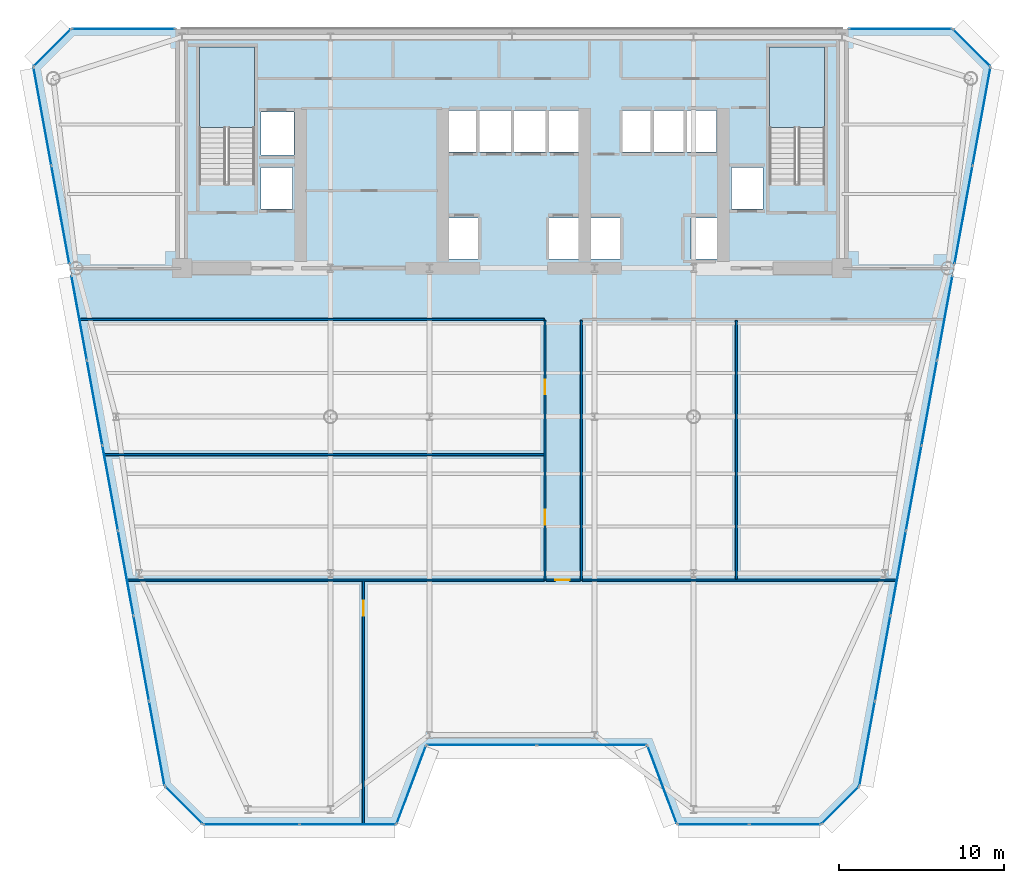
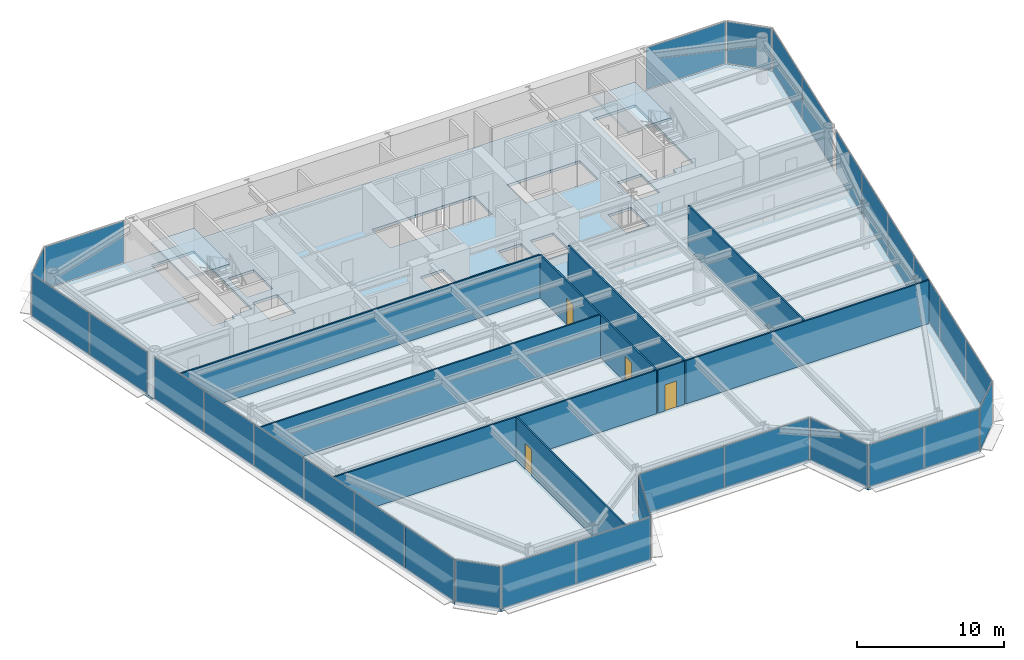
# One storey, part 10 of 17: 30 plates, 9 walls, 4 doors, 3 slabs, 4 openings, 17 elements without a shape of their own.
"""IFC4 building model written with IfcOpenShell, lengths in metres."""

import ifcopenshell
import ifcopenshell.guid

model = None  # the IFC model being written
_history = None  # IfcOwnerHistory: only IFC2X3 demands one
_inside = {}  # id of a spatial element -> (the spatial element, [elements in it])
_under = {}  # id of a project, library or spatial element -> (it, [spatial elements below it])
_declared = {}  # id of a project -> (the project, [libraries it declares])
_typed = {}  # id of a type object -> (the type object, [elements of that type])
_made_of = {}  # id of a material, layer set ... -> (it, [elements and type objects made of it])


def new_model(schema):
    """Start an empty IFC model of exactly this schema.

    Asked for "IFC4X3", IfcOpenShell would pick the latest addendum, in which some entities
    have other attributes; the version numbers below select the first issue.
    IFC2X3 requires an IfcOwnerHistory on every rooted entity: one is made here for all.
    """
    global model, _history
    if schema == "IFC4X3":
        model = ifcopenshell.file(schema_version=(4, 3, 0, 0))
    else:
        model = ifcopenshell.file(schema=schema)
    _inside.clear()
    _under.clear()
    _declared.clear()
    _typed.clear()
    _made_of.clear()
    _history = None
    if model.schema == "IFC2X3":
        org = make("IfcOrganization", Name="unknown")
        user = make(
            "IfcPersonAndOrganization",
            ThePerson=make("IfcPerson", FamilyName="unknown"),
            TheOrganization=org,
        )
        app = make(
            "IfcApplication",
            ApplicationDeveloper=org,
            Version="unknown",
            ApplicationFullName="unknown",
            ApplicationIdentifier="unknown",
        )
        _history = make(
            "IfcOwnerHistory",
            OwningUser=user,
            OwningApplication=app,
            ChangeAction="ADDED",
            CreationDate=0,
        )
    return model


def make(cls, **values):
    """One entity of the class cls with the attributes given. An attribute that is None is left unset."""
    return model.create_entity(
        cls, **{name: value for name, value in values.items() if value is not None}
    )


def rooted(cls, **values):
    """An entity with a GlobalId (a new one), such as an element, a storey or a relation."""
    return make(cls, GlobalId=ifcopenshell.guid.new(), OwnerHistory=_history, **values)


def si_unit(unit_type, name, prefix=None):
    """IfcSIUnit, for example si_unit("LENGTHUNIT", "METRE", prefix="MILLI")."""
    return make("IfcSIUnit", UnitType=unit_type, Prefix=prefix, Name=name)


def assignment(units):
    """IfcUnitAssignment: the units of a project."""
    return None if units is None else make("IfcUnitAssignment", Units=units)


def point(xyz):
    """IfcCartesianPoint."""
    return None if xyz is None else make("IfcCartesianPoint", Coordinates=xyz)


def direction(xyz):
    """IfcDirection."""
    return None if xyz is None else make("IfcDirection", DirectionRatios=xyz)


def frame(location, z_axis=None, x_axis=None):
    """IfcAxis2Placement3D, a coordinate frame: its origin and axes. An axis left out is left unset."""
    return make(
        "IfcAxis2Placement3D",
        Location=point(location),
        Axis=direction(z_axis),
        RefDirection=direction(x_axis),
    )


def frame_2d(location, x_axis=None):
    """IfcAxis2Placement2D, a coordinate frame in the plane: its origin and x axis."""
    return make(
        "IfcAxis2Placement2D", Location=point(location), RefDirection=direction(x_axis)
    )


def origin():
    """The frame at (0, 0, 0) with its axes left unset."""
    return frame((0.0, 0.0, 0.0))


def origin_2d():
    """The frame at (0, 0) in the plane with its x axis left unset."""
    return frame_2d((0.0, 0.0))


def place(relative_to, where):
    """IfcLocalPlacement: puts the frame where relative to a parent placement (None: the world)."""
    return make(
        "IfcLocalPlacement", PlacementRelTo=relative_to, RelativePlacement=where
    )


def context(
    kind, dimensions, precision=None, world=None, true_north=None, identifier=None
):
    """IfcGeometricRepresentationContext, for example the 3D "Model" context."""
    return make(
        "IfcGeometricRepresentationContext",
        ContextIdentifier=identifier,
        ContextType=kind,
        CoordinateSpaceDimension=dimensions,
        Precision=precision,
        WorldCoordinateSystem=world,
        TrueNorth=true_north,
    )


def subcontext(parent, identifier, kind, view, scale=None):
    """IfcGeometricRepresentationSubContext, for example "Body" below "Model"."""
    return make(
        "IfcGeometricRepresentationSubContext",
        ContextIdentifier=identifier,
        ContextType=kind,
        ParentContext=parent,
        TargetScale=scale,
        TargetView=view,
    )


def project(units=None, contexts=None):
    """IfcProject with its units and contexts."""
    return rooted(
        "IfcProject",
        Name="project",
        RepresentationContexts=contexts,
        UnitsInContext=assignment(units),
    )


def spatial(cls, under=None, at=None, **own):
    """A site, building, storey or space (cls), placed at a placement, below another one or the project."""
    s = rooted(cls, ObjectPlacement=at, **own)
    if under is not None:
        _under.setdefault(under.id(), (under, []))[1].append(s)
    return s


def polyline(points):
    """IfcPolyline through the points."""
    return make("IfcPolyline", Points=[point(p) for p in points])


def profile(cls, at=None, kind="AREA", **sizes):
    """A parametric profile (cls). Its sizes go by their IFC names, for example OverallWidth=200.0."""
    return make(cls, ProfileType=kind, Position=at, **sizes)


def rectangle(**sizes):
    """IfcRectangleProfileDef."""
    return profile("IfcRectangleProfileDef", **sizes)


def outline(outer, holes=None, kind="AREA"):
    """IfcArbitraryClosedProfileDef: a profile drawn as a closed curve; with holes, ...WithVoids."""
    if holes is None:
        return make("IfcArbitraryClosedProfileDef", ProfileType=kind, OuterCurve=outer)
    return make(
        "IfcArbitraryProfileDefWithVoids",
        ProfileType=kind,
        OuterCurve=outer,
        InnerCurves=holes,
    )


def extrude(swept, where, along, depth):
    """IfcExtrudedAreaSolid: the profile swept, set in the frame where, extruded along a direction by depth."""
    return make(
        "IfcExtrudedAreaSolid",
        SweptArea=swept,
        Position=where,
        ExtrudedDirection=direction(along),
        Depth=depth,
    )


def shape(context_of_items, identifier, shape_type, items):
    """IfcShapeRepresentation: the items that make up one representation, for example the "Body"."""
    return make(
        "IfcShapeRepresentation",
        ContextOfItems=context_of_items,
        RepresentationIdentifier=identifier,
        RepresentationType=shape_type,
        Items=items,
    )


def source(mapping_origin, context_of_items, identifier, shape_type, items):
    """IfcRepresentationMap: a shape defined once, which mapped items show again and again."""
    return make(
        "IfcRepresentationMap",
        MappingOrigin=mapping_origin,
        MappedRepresentation=shape(context_of_items, identifier, shape_type, items),
    )


def transform(
    local_origin,
    x_axis=None,
    y_axis=None,
    z_axis=None,
    scale=None,
    scale2=None,
    scale3=None,
    uniform=True,
):
    """IfcCartesianTransformationOperator3D, or its non-uniform kind. x_axis, y_axis, z_axis: its Axis1, 2, 3."""
    if uniform:
        return make(
            "IfcCartesianTransformationOperator3D",
            Axis1=direction(x_axis),
            Axis2=direction(y_axis),
            LocalOrigin=point(local_origin),
            Scale=scale,
            Axis3=direction(z_axis),
        )
    return make(
        "IfcCartesianTransformationOperator3DnonUniform",
        Axis1=direction(x_axis),
        Axis2=direction(y_axis),
        LocalOrigin=point(local_origin),
        Scale=scale,
        Axis3=direction(z_axis),
        Scale2=scale2,
        Scale3=scale3,
    )


def mapped(mapping_source, mapping_target):
    """IfcMappedItem: shows the shape of a source again, moved by a transform."""
    return make(
        "IfcMappedItem", MappingSource=mapping_source, MappingTarget=mapping_target
    )


def material(Name=None, Category=None):
    """IfcMaterial."""
    return make("IfcMaterial", Name=Name, Category=Category)


def layer(
    of_material, thickness, ventilated=None, Name=None, Category=None, Priority=None
):
    """IfcMaterialLayer: one layer of a wall or slab, of a material (None: an air gap)."""
    return make(
        "IfcMaterialLayer",
        Material=of_material,
        LayerThickness=thickness,
        IsVentilated=ventilated,
        Name=Name,
        Category=Category,
        Priority=Priority,
    )


def layer_set(layers, Name=None):
    """IfcMaterialLayerSet."""
    return make("IfcMaterialLayerSet", MaterialLayers=layers, LayerSetName=Name)


def made_of(thing, what):
    """Note that an element or type object is made of a material, layer set ...; save() writes the relation."""
    if what is not None:
        _made_of.setdefault(what.id(), (what, []))[1].append(thing)
    return thing


def type_object(cls, material=None, **own):
    """A type object (cls), such as IfcWallType, which elements share."""
    return made_of(rooted(cls, **own), material)


def element(
    cls,
    number,
    at=None,
    inside=None,
    cuts=None,
    type_object=None,
    material=None,
    context=None,
    identifier="Body",
    shape_type=None,
    held_by="IfcProductDefinitionShape",
    body=None,
    shapes=None,
    **own,
):
    """One element of the class cls, such as IfcWall. Its Tag is "e" and its number.

    at: its placement. inside: the storey or other place that contains it. cuts: it is an
    opening in that element (IfcRelVoidsElement). A single representation is given by context,
    identifier, shape_type and body (its items); several are given by shapes. held_by: the class
    of the entity that holds the representations. save() writes the other relations.
    """
    e = rooted(cls, Tag="e%d" % number, ObjectPlacement=at, **own)
    if body is not None:
        shapes = [shape(context, identifier, shape_type, body)]
    if shapes is not None:
        e.Representation = make(held_by, Representations=shapes)
    if inside is not None:
        _inside.setdefault(inside.id(), (inside, []))[1].append(e)
    if cuts is not None:
        rooted(
            "IfcRelVoidsElement", RelatingBuildingElement=cuts, RelatedOpeningElement=e
        )
    if type_object is not None:
        _typed.setdefault(type_object.id(), (type_object, []))[1].append(e)
    return made_of(e, material)


def fill(opening, filler):
    """IfcRelFillsElement: the door or window that sits in an opening."""
    return rooted(
        "IfcRelFillsElement",
        RelatingOpeningElement=opening,
        RelatedBuildingElement=filler,
    )


def aggregate(whole, parts):
    """IfcRelAggregates: a whole, such as a stair, and the parts it consists of."""
    return rooted("IfcRelAggregates", RelatingObject=whole, RelatedObjects=parts)


def save(model, path):
    """Write the relations noted so far, then the file.

    IfcRelAggregates (storeys below a building ...), IfcRelContainedInSpatialStructure (elements
    in a storey), IfcRelDefinesByType, IfcRelAssociatesMaterial and IfcRelDeclares: one each for
    every whole, place, type object, material and project.
    """
    for whole, parts in _under.values():
        aggregate(whole, parts)
    for where, things in _inside.values():
        rooted(
            "IfcRelContainedInSpatialStructure",
            RelatedElements=things,
            RelatingStructure=where,
        )
    for kind, things in _typed.values():
        rooted("IfcRelDefinesByType", RelatedObjects=things, RelatingType=kind)
    for what, things in _made_of.values():
        rooted("IfcRelAssociatesMaterial", RelatedObjects=things, RelatingMaterial=what)
    for by, libraries in _declared.values():
        rooted("IfcRelDeclares", RelatingContext=by, RelatedDefinitions=libraries)
    model.write(path)


model = new_model("IFC4")

# Units and contexts
model_context = context("Model", 3, precision=1e-05, world=origin(), true_north=direction((0.0, 1.0)))
body_context = subcontext(model_context, "Body", "Model", "MODEL_VIEW")
ifc_project = project(units=[si_unit("LENGTHUNIT", "METRE"), si_unit("AREAUNIT", "SQUARE_METRE"), si_unit("VOLUMEUNIT", "CUBIC_METRE"), si_unit("PLANEANGLEUNIT", "RADIAN"), si_unit("MASSUNIT", "GRAM", prefix="KILO")], contexts=[model_context])

# Site, building, storey
site_placement = place(None, origin())
site = spatial("IfcSite", under=ifc_project, at=site_placement, CompositionType="ELEMENT")
building_placement = place(site_placement, origin())
building = spatial("IfcBuilding", under=site, at=building_placement, Name="Vaeldorn Concourse Tower", CompositionType="ELEMENT")
storey_placement = place(building_placement, frame((0.0, 0.0, 165.199951171875)))
storey = spatial("IfcBuildingStorey", under=building, at=storey_placement, Name="L42", CompositionType="ELEMENT", Elevation=165.199951171875)

# Stair, slab
ifc_material_1 = material(Name="Precast concrete C40/50", Category="concrete")
stair_type = type_object("IfcStairType", Name="STR-DOG-24x158", PredefinedType="HALF_TURN_STAIR", material=ifc_material_1)
stair_1_placement = place(storey_placement, origin())
stair_1 = element("IfcStair", 1, at=stair_1_placement, inside=storey, type_object=stair_type, Name="L42 West Core Exit Stair ST-1", PredefinedType="HALF_TURN_STAIR")
ifc_material_2 = material(Name="Concrete C40/50", Category="concrete")
ifc_layer_1 = layer(ifc_material_2, 0.199951171875)
ifc_layer_set_1 = layer_set([ifc_layer_1], Name="Concrete C40/50")
slab_type_1 = type_object("IfcSlabType", Name="SL-STAIR-LANDING", PredefinedType="LANDING", material=ifc_layer_set_1)
slab_1_placement = place(storey_placement, frame((0.0, 0.0, 1.699951171875)))
slab_1 = element("IfcSlab", 2, at=slab_1_placement, type_object=slab_type_1, Name="ST-1 landing 1", PredefinedType="LANDING", context=body_context, shape_type="SweptSolid", body=[
    extrude(outline(polyline([(18.39990234375, 45.010009765625), (18.39990234375, 49.89990234375), (15.050048828125, 49.89990234375), (15.050048828125, 45.010009765625), (18.39990234375, 45.010009765625)])), origin(), (0.0, 0.0, 1.0), 0.2001953125),
])
aggregate(stair_1, [slab_1])

stair_2_placement = place(storey_placement, origin())
stair_2 = element("IfcStair", 3, at=stair_2_placement, inside=storey, type_object=stair_type, Name="L42 East Core Exit Stair ST-2", PredefinedType="HALF_TURN_STAIR")
slab_2_placement = place(storey_placement, frame((0.0, 0.0, 1.699951171875)))
slab_2 = element("IfcSlab", 4, at=slab_2_placement, type_object=slab_type_1, Name="ST-2 landing 1", PredefinedType="LANDING", context=body_context, shape_type="SweptSolid", body=[
    extrude(outline(polyline([(52.949951171875, 45.010009765625), (52.949951171875, 49.89990234375), (49.60009765625, 49.89990234375), (49.60009765625, 45.010009765625), (52.949951171875, 45.010009765625)])), origin(), (0.0, 0.0, 1.0), 0.2001953125),
])
aggregate(stair_2, [slab_2])

# Slab
ifc_layer_2 = layer(ifc_material_2, 0.219970703125)
ifc_layer_set_2 = layer_set([ifc_layer_2], Name="Concrete C40/50")
slab_type_2 = type_object("IfcSlabType", Name="SL-TYP-220", PredefinedType="FLOOR", material=ifc_layer_set_2)
slab_3_placement = place(storey_placement, frame((0.0, 0.0, -0.219970703125)))
element("IfcSlab", 5, at=slab_3_placement, inside=storey, type_object=slab_type_2, Name="Structural Floor Slab L42", PredefinedType="FLOOR", context=body_context, shape_type="SweptSolid", body=[
    extrude(outline(polyline([(15.2529296875, 2.800048828125), (27.0, 2.800048828125), (28.800048828125, 7.60009765625), (42.199951171875, 7.60009765625), (44.0, 2.800048828125), (52.7470703125, 2.800048828125), (55.047119140625, 5.10009765625), (63.0, 48.699951171875), (60.699951171875, 51.0), (7.300048828125, 51.0), (5.0, 48.699951171875), (12.952880859375, 5.10009765625), (15.2529296875, 2.800048828125)]), holes=[polyline([(18.39990234375, 42.0), (18.39990234375, 49.89990234375), (15.050048828125, 49.89990234375), (15.050048828125, 41.60009765625), (16.800048828125, 41.60009765625), (16.800048828125, 42.0), (18.39990234375, 42.0)]), polyline([(52.949951171875, 42.0), (52.949951171875, 49.89990234375), (49.60009765625, 49.89990234375), (49.60009765625, 41.60009765625), (51.35009765625, 41.60009765625), (51.35009765625, 42.0), (52.949951171875, 42.0)]), polyline([(30.14990234375, 37.050048828125), (31.949951171875, 37.050048828125), (31.949951171875, 39.550048828125), (30.14990234375, 39.550048828125), (30.14990234375, 37.050048828125)]), polyline([(36.25, 37.050048828125), (38.050048828125, 37.050048828125), (38.050048828125, 39.550048828125), (36.25, 39.550048828125), (36.25, 37.050048828125)]), polyline([(30.10009765625, 43.550048828125), (38.10009765625, 43.550048828125), (38.10009765625, 46.050048828125), (30.10009765625, 46.050048828125), (30.10009765625, 43.550048828125)]), polyline([(38.75, 37.050048828125), (40.550048828125, 37.050048828125), (40.550048828125, 39.550048828125), (38.75, 39.550048828125), (38.75, 37.050048828125)]), polyline([(44.85009765625, 37.050048828125), (46.64990234375, 37.050048828125), (46.64990234375, 39.550048828125), (44.85009765625, 39.550048828125), (44.85009765625, 37.050048828125)]), polyline([(40.699951171875, 43.550048828125), (46.39990234375, 43.550048828125), (46.39990234375, 46.050048828125), (40.699951171875, 46.050048828125), (40.699951171875, 43.550048828125)]), polyline([(18.800048828125, 43.35009765625), (20.800048828125, 43.35009765625), (20.800048828125, 45.949951171875), (18.800048828125, 45.949951171875), (18.800048828125, 43.35009765625)]), polyline([(18.800048828125, 40.10009765625), (20.699951171875, 40.10009765625), (20.699951171875, 42.60009765625), (18.800048828125, 42.60009765625), (18.800048828125, 40.10009765625)]), polyline([(47.300048828125, 40.10009765625), (49.199951171875, 40.10009765625), (49.199951171875, 42.60009765625), (47.300048828125, 42.60009765625), (47.300048828125, 40.10009765625)])]), origin(), (0.0, 0.0, 1.0), 0.219970703125),
])

# Curtain wall, plate
ifc_material_3 = material(Name="Anodised Bronze Aluminium", Category="aluminium")
ifc_layer_3 = layer(ifc_material_3, 0.18994140625)
ifc_layer_set_3 = layer_set([ifc_layer_3], Name="Anodised Bronze Aluminium")
curtain_wall_type = type_object("IfcCurtainWallType", Name="CW-SYS-03", PredefinedType="NOTDEFINED", material=ifc_layer_set_3)
curtain_wall_1_placement = place(storey_placement, origin())
curtain_wall_1 = element("IfcCurtainWall", 6, at=curtain_wall_1_placement, inside=storey, type_object=curtain_wall_type, Name="Unitised Curtain Wall CW-L42-E02-1", PredefinedType="NOTDEFINED")
ifc_material_4 = material(Name="Bronze Tinted Low-E Insulated Glass", Category="glass")
ifc_layer_4 = layer(ifc_material_4, 0.031982421875)
ifc_layer_set_4 = layer_set([ifc_layer_4], Name="Bronze Tinted Low-E Insulated Glass")
plate_type = type_object("IfcPlateType", Name="CWP-VISION-32", PredefinedType="CURTAIN_PANEL", material=ifc_layer_set_4)
shared_shape_1 = source(origin(), body_context, "Body", "SweptSolid", [
    extrude(rectangle(XDim=4.996337890625, YDim=0.031982421875, at=origin_2d()), origin(), (0.0, 0.0, 1.0), 3.449951171875),
])
plate_1_placement = place(storey_placement, frame((27.89990234375, 5.199951171875, 0.06494140625), z_axis=(0.0, 0.0, 1.0), x_axis=(0.351123441595, 0.936329177566, 0.0)))
plate_1 = element("IfcPlate", 7, at=plate_1_placement, type_object=plate_type, Name="CW-03 panel 1.1", PredefinedType="CURTAIN_PANEL", context=body_context, shape_type="MappedRepresentation", body=[
    mapped(shared_shape_1, transform((0.0, 0.0, 0.0), scale=1.0)),
])
aggregate(curtain_wall_1, [plate_1])

curtain_wall_2_placement = place(storey_placement, origin())
curtain_wall_2 = element("IfcCurtainWall", 8, at=curtain_wall_2_placement, inside=storey, type_object=curtain_wall_type, Name="Unitised Curtain Wall CW-L42-E04-1", PredefinedType="NOTDEFINED")
plate_2_placement = place(storey_placement, frame((43.10009765625, 5.199951171875, 0.06494140625), z_axis=(0.0, 0.0, 1.0), x_axis=(0.351123441595, -0.936329177566, 0.0)))
plate_2 = element("IfcPlate", 9, at=plate_2_placement, type_object=plate_type, Name="CW-03 panel 1.1", PredefinedType="CURTAIN_PANEL", context=body_context, shape_type="MappedRepresentation", body=[
    mapped(shared_shape_1, transform((0.0, 0.0, 0.0), scale=1.0)),
])
aggregate(curtain_wall_2, [plate_2])

# Curtain wall, plates
curtain_wall_3_placement = place(storey_placement, origin())
curtain_wall_3 = element("IfcCurtainWall", 10, at=curtain_wall_3_placement, inside=storey, type_object=curtain_wall_type, Name="Unitised Curtain Wall CW-L42-E03-1", PredefinedType="NOTDEFINED")
shared_shape_2 = source(origin(), body_context, "Body", "SweptSolid", [
    extrude(rectangle(XDim=6.6025390625, YDim=0.031982421875, at=origin_2d()), origin(), (0.0, 0.0, 1.0), 3.449951171875),
])
plate_3_placement = place(storey_placement, frame((32.166259765625, 7.60009765625, 0.06494140625), z_axis=(0.0, 0.0, 1.0), x_axis=(1.0, 0.0, 0.0)))
plate_3 = element("IfcPlate", 11, at=plate_3_placement, type_object=plate_type, Name="CW-03 panel 1.1", PredefinedType="CURTAIN_PANEL", context=body_context, shape_type="MappedRepresentation", body=[
    mapped(shared_shape_2, transform((0.0, 0.0, 0.0), scale=1.0)),
])
plate_4_placement = place(storey_placement, frame((38.833740234375, 7.60009765625, 0.06494140625), z_axis=(0.0, 0.0, 1.0), x_axis=(1.0, 0.0, 0.0)))
plate_4 = element("IfcPlate", 12, at=plate_4_placement, type_object=plate_type, Name="CW-03 panel 2.1", PredefinedType="CURTAIN_PANEL", context=body_context, shape_type="MappedRepresentation", body=[
    mapped(shared_shape_2, transform((0.0, 0.0, 0.0), scale=1.0)),
])
aggregate(curtain_wall_3, [plate_3, plate_4])

# Curtain wall, plate
curtain_wall_4_placement = place(storey_placement, origin())
curtain_wall_4 = element("IfcCurtainWall", 13, at=curtain_wall_4_placement, inside=storey, type_object=curtain_wall_type, Name="Unitised Curtain Wall CW-L42-E06-1", PredefinedType="NOTDEFINED")
shared_shape_3 = source(origin(), body_context, "Body", "SweptSolid", [
    extrude(rectangle(XDim=3.122802734375, YDim=0.031982421875, at=origin_2d()), origin(), (0.0, 0.0, 1.0), 3.449951171875),
])
plate_5_placement = place(storey_placement, frame((53.89697265625, 3.949951171875, 0.06494140625), z_axis=(0.0, 0.0, 1.0), x_axis=(0.707106781187, 0.707106781187, 0.0)))
plate_5 = element("IfcPlate", 14, at=plate_5_placement, type_object=plate_type, Name="CW-03 panel 1.1", PredefinedType="CURTAIN_PANEL", context=body_context, shape_type="MappedRepresentation", body=[
    mapped(shared_shape_3, transform((0.0, 0.0, 0.0), scale=1.0)),
])
aggregate(curtain_wall_4, [plate_5])

curtain_wall_5_placement = place(storey_placement, origin())
curtain_wall_5 = element("IfcCurtainWall", 15, at=curtain_wall_5_placement, inside=storey, type_object=curtain_wall_type, Name="Unitised Curtain Wall CW-L42-E08-1", PredefinedType="NOTDEFINED")
plate_6_placement = place(storey_placement, frame((61.85009765625, 49.85009765625, 0.06494140625), z_axis=(0.0, 0.0, 1.0), x_axis=(-0.707106781187, 0.707106781187, 0.0)))
plate_6 = element("IfcPlate", 16, at=plate_6_placement, type_object=plate_type, Name="CW-03 panel 1.1", PredefinedType="CURTAIN_PANEL", context=body_context, shape_type="MappedRepresentation", body=[
    mapped(shared_shape_3, transform((0.0, 0.0, 0.0), scale=1.0)),
])
aggregate(curtain_wall_5, [plate_6])

curtain_wall_6_placement = place(storey_placement, origin())
curtain_wall_6 = element("IfcCurtainWall", 17, at=curtain_wall_6_placement, inside=storey, type_object=curtain_wall_type, Name="Unitised Curtain Wall CW-L42-E10-1", PredefinedType="NOTDEFINED")
plate_7_placement = place(storey_placement, frame((6.14990234375, 49.85009765625, 0.06494140625), z_axis=(0.0, 0.0, 1.0), x_axis=(-0.707106781187, -0.707106781187, 0.0)))
plate_7 = element("IfcPlate", 18, at=plate_7_placement, type_object=plate_type, Name="CW-03 panel 1.1", PredefinedType="CURTAIN_PANEL", context=body_context, shape_type="MappedRepresentation", body=[
    mapped(shared_shape_3, transform((0.0, 0.0, 0.0), scale=1.0)),
])
aggregate(curtain_wall_6, [plate_7])

curtain_wall_7_placement = place(storey_placement, origin())
curtain_wall_7 = element("IfcCurtainWall", 19, at=curtain_wall_7_placement, inside=storey, type_object=curtain_wall_type, Name="Unitised Curtain Wall CW-L42-E12-1", PredefinedType="NOTDEFINED")
plate_8_placement = place(storey_placement, frame((14.10302734375, 3.949951171875, 0.06494140625), z_axis=(0.0, 0.0, 1.0), x_axis=(0.707106781187, -0.707106781187, 0.0)))
plate_8 = element("IfcPlate", 20, at=plate_8_placement, type_object=plate_type, Name="CW-03 panel 1.1", PredefinedType="CURTAIN_PANEL", context=body_context, shape_type="MappedRepresentation", body=[
    mapped(shared_shape_3, transform((0.0, 0.0, 0.0), scale=1.0)),
])
aggregate(curtain_wall_7, [plate_8])

curtain_wall_8_placement = place(storey_placement, origin())
curtain_wall_8 = element("IfcCurtainWall", 21, at=curtain_wall_8_placement, inside=storey, type_object=curtain_wall_type, Name="Unitised Curtain Wall CW-L42-E09-1", PredefinedType="NOTDEFINED")
shared_shape_4 = source(origin(), body_context, "Body", "SweptSolid", [
    extrude(rectangle(XDim=6.199951171875, YDim=0.031982421875, at=origin_2d()), origin(), (0.0, 0.0, 1.0), 3.449951171875),
])
plate_9_placement = place(storey_placement, frame((57.534912109375, 51.0, 0.06494140625), z_axis=(0.0, 0.0, 1.0), x_axis=(-1.0, 0.0, 0.0)))
plate_9 = element("IfcPlate", 22, at=plate_9_placement, type_object=plate_type, Name="CW-03 panel 1.1", PredefinedType="CURTAIN_PANEL", context=body_context, shape_type="MappedRepresentation", body=[
    mapped(shared_shape_4, transform((0.0, 0.0, 0.0), scale=1.0)),
])
aggregate(curtain_wall_8, [plate_9])

curtain_wall_9_placement = place(storey_placement, origin())
curtain_wall_9 = element("IfcCurtainWall", 23, at=curtain_wall_9_placement, inside=storey, type_object=curtain_wall_type, Name="Unitised Curtain Wall CW-L42-E09-2", PredefinedType="NOTDEFINED")
plate_10_placement = place(storey_placement, frame((10.465087890625, 51.0, 0.06494140625), z_axis=(0.0, 0.0, 1.0), x_axis=(-1.0, 0.0, 0.0)))
plate_10 = element("IfcPlate", 24, at=plate_10_placement, type_object=plate_type, Name="CW-03 panel 1.1", PredefinedType="CURTAIN_PANEL", context=body_context, shape_type="MappedRepresentation", body=[
    mapped(shared_shape_4, transform((0.0, 0.0, 0.0), scale=1.0)),
])
aggregate(curtain_wall_9, [plate_10])

# Curtain wall, plates
curtain_wall_10_placement = place(storey_placement, origin())
curtain_wall_10 = element("IfcCurtainWall", 25, at=curtain_wall_10_placement, inside=storey, type_object=curtain_wall_type, Name="Unitised Curtain Wall CW-L42-E01-1", PredefinedType="NOTDEFINED")
shared_shape_5 = source(origin(), body_context, "Body", "SweptSolid", [
    extrude(rectangle(XDim=5.77587890625, YDim=0.031982421875, at=origin_2d()), origin(), (0.0, 0.0, 1.0), 3.449951171875),
])
plate_11_placement = place(storey_placement, frame((18.2060546875, 2.800048828125, 0.06494140625), z_axis=(0.0, 0.0, 1.0), x_axis=(1.0, 0.0, 0.0)))
plate_11 = element("IfcPlate", 26, at=plate_11_placement, type_object=plate_type, Name="CW-03 panel 1.1", PredefinedType="CURTAIN_PANEL", context=body_context, shape_type="MappedRepresentation", body=[
    mapped(shared_shape_5, transform((0.0, 0.0, 0.0), scale=1.0)),
])
plate_12_placement = place(storey_placement, frame((24.047119140625, 2.800048828125, 0.06494140625), z_axis=(0.0, 0.0, 1.0), x_axis=(1.0, 0.0, 0.0)))
plate_12 = element("IfcPlate", 27, at=plate_12_placement, type_object=plate_type, Name="CW-03 panel 2.1", PredefinedType="CURTAIN_PANEL", context=body_context, shape_type="MappedRepresentation", body=[
    mapped(shared_shape_5, transform((0.0, 0.0, 0.0), scale=1.0)),
])
aggregate(curtain_wall_10, [plate_11, plate_12])

curtain_wall_11_placement = place(storey_placement, origin())
curtain_wall_11 = element("IfcCurtainWall", 28, at=curtain_wall_11_placement, inside=storey, type_object=curtain_wall_type, Name="Unitised Curtain Wall CW-L42-E05-1", PredefinedType="NOTDEFINED")
shared_shape_6 = source(origin(), body_context, "Body", "SweptSolid", [
    extrude(rectangle(XDim=4.27587890625, YDim=0.031982421875, at=origin_2d()), origin(), (0.0, 0.0, 1.0), 3.449951171875),
])
plate_13_placement = place(storey_placement, frame((46.202880859375, 2.800048828125, 0.06494140625), z_axis=(0.0, 0.0, 1.0), x_axis=(1.0, 0.0, 0.0)))
plate_13 = element("IfcPlate", 29, at=plate_13_placement, type_object=plate_type, Name="CW-03 panel 1.1", PredefinedType="CURTAIN_PANEL", context=body_context, shape_type="MappedRepresentation", body=[
    mapped(shared_shape_6, transform((0.0, 0.0, 0.0), scale=1.0)),
])
plate_14_placement = place(storey_placement, frame((50.5439453125, 2.800048828125, 0.06494140625), z_axis=(0.0, 0.0, 1.0), x_axis=(1.0, 0.0, 0.0)))
plate_14 = element("IfcPlate", 30, at=plate_14_placement, type_object=plate_type, Name="CW-03 panel 2.1", PredefinedType="CURTAIN_PANEL", context=body_context, shape_type="MappedRepresentation", body=[
    mapped(shared_shape_6, transform((0.0, 0.0, 0.0), scale=1.0)),
])
aggregate(curtain_wall_11, [plate_13, plate_14])

curtain_wall_12_placement = place(storey_placement, origin())
curtain_wall_12 = element("IfcCurtainWall", 31, at=curtain_wall_12_placement, inside=storey, type_object=curtain_wall_type, Name="Unitised Curtain Wall CW-L42-E07-1", PredefinedType="NOTDEFINED")
shared_shape_7 = source(origin(), body_context, "Body", "SweptSolid", [
    extrude(rectangle(XDim=5.151611328125, YDim=0.031982421875, at=origin_2d()), origin(), (0.0, 0.0, 1.0), 3.449951171875),
])
plate_15_placement = place(storey_placement, frame((55.52099609375, 7.697998046875, 0.06494140625), z_axis=(0.0, 0.0, 1.0), x_axis=(0.179445909331, 0.983767841325, 0.0)))
plate_15 = element("IfcPlate", 32, at=plate_15_placement, type_object=plate_type, Name="CW-03 panel 1.1", PredefinedType="CURTAIN_PANEL", context=body_context, shape_type="MappedRepresentation", body=[
    mapped(shared_shape_7, transform((0.0, 0.0, 0.0), scale=1.0)),
])
plate_16_placement = place(storey_placement, frame((60.224609375, 33.485595703125, 0.06494140625), z_axis=(0.0, 0.0, 1.0), x_axis=(0.179445909331, 0.983767841325, 0.0)))
plate_16 = element("IfcPlate", 33, at=plate_16_placement, type_object=plate_type, Name="CW-03 panel 6.1", PredefinedType="CURTAIN_PANEL", context=body_context, shape_type="MappedRepresentation", body=[
    mapped(shared_shape_7, transform((0.0, 0.0, 0.0), scale=1.0)),
])

curtain_wall_13_placement = place(storey_placement, origin())
curtain_wall_13 = element("IfcCurtainWall", 34, at=curtain_wall_13_placement, inside=storey, type_object=curtain_wall_type, Name="Unitised Curtain Wall CW-L42-E11-2", PredefinedType="NOTDEFINED")
plate_17_placement = place(storey_placement, frame((7.775390625, 33.485595703125, 0.06494140625), z_axis=(0.0, 0.0, 1.0), x_axis=(0.179445909331, -0.983767841325, 0.0)))
plate_17 = element("IfcPlate", 35, at=plate_17_placement, type_object=plate_type, Name="CW-03 panel 1.1", PredefinedType="CURTAIN_PANEL", context=body_context, shape_type="MappedRepresentation", body=[
    mapped(shared_shape_7, transform((0.0, 0.0, 0.0), scale=1.0)),
])
plate_18_placement = place(storey_placement, frame((12.47900390625, 7.697998046875, 0.06494140625), z_axis=(0.0, 0.0, 1.0), x_axis=(0.179445909331, -0.983767841325, 0.0)))
plate_18 = element("IfcPlate", 36, at=plate_18_placement, type_object=plate_type, Name="CW-03 panel 6.1", PredefinedType="CURTAIN_PANEL", context=body_context, shape_type="MappedRepresentation", body=[
    mapped(shared_shape_7, transform((0.0, 0.0, 0.0), scale=1.0)),
])

# Plate
shared_shape_8 = source(origin(), body_context, "Body", "SweptSolid", [
    extrude(rectangle(XDim=5.18408203125, YDim=0.031982421875, at=origin_2d()), origin(), (0.0, 0.0, 1.0), 3.449951171875),
])
plate_19_placement = place(storey_placement, frame((56.4599609375, 12.845947265625, 0.06494140625), z_axis=(0.0, 0.0, 1.0), x_axis=(0.179445909331, 0.983767841325, 0.0)))
plate_19 = element("IfcPlate", 37, at=plate_19_placement, type_object=plate_type, Name="CW-03 panel 2.1", PredefinedType="CURTAIN_PANEL", context=body_context, shape_type="MappedRepresentation", body=[
    mapped(shared_shape_8, transform((0.0, 0.0, 0.0), scale=1.0)),
])

plate_20_placement = place(storey_placement, frame((57.40185546875, 18.009765625, 0.06494140625), z_axis=(0.0, 0.0, 1.0), x_axis=(0.179445909331, 0.983767841325, 0.0)))
plate_20 = element("IfcPlate", 38, at=plate_20_placement, type_object=plate_type, Name="CW-03 panel 3.1", PredefinedType="CURTAIN_PANEL", context=body_context, shape_type="MappedRepresentation", body=[
    mapped(shared_shape_8, transform((0.0, 0.0, 0.0), scale=1.0)),
])

plate_21_placement = place(storey_placement, frame((58.34375, 23.173828125, 0.06494140625), z_axis=(0.0, 0.0, 1.0), x_axis=(0.179445909331, 0.983767841325, 0.0)))
plate_21 = element("IfcPlate", 39, at=plate_21_placement, type_object=plate_type, Name="CW-03 panel 4.1", PredefinedType="CURTAIN_PANEL", context=body_context, shape_type="MappedRepresentation", body=[
    mapped(shared_shape_8, transform((0.0, 0.0, 0.0), scale=1.0)),
])

plate_22_placement = place(storey_placement, frame((59.28564453125, 28.337646484375, 0.06494140625), z_axis=(0.0, 0.0, 1.0), x_axis=(0.179445909331, 0.983767841325, 0.0)))
plate_22 = element("IfcPlate", 40, at=plate_22_placement, type_object=plate_type, Name="CW-03 panel 5.1", PredefinedType="CURTAIN_PANEL", context=body_context, shape_type="MappedRepresentation", body=[
    mapped(shared_shape_8, transform((0.0, 0.0, 0.0), scale=1.0)),
])

aggregate(curtain_wall_12, [plate_15, plate_19, plate_20, plate_21, plate_22, plate_16])

plate_23_placement = place(storey_placement, frame((8.71435546875, 28.337646484375, 0.06494140625), z_axis=(0.0, 0.0, 1.0), x_axis=(0.179445909331, -0.983767841325, 0.0)))
plate_23 = element("IfcPlate", 41, at=plate_23_placement, type_object=plate_type, Name="CW-03 panel 2.1", PredefinedType="CURTAIN_PANEL", context=body_context, shape_type="MappedRepresentation", body=[
    mapped(shared_shape_8, transform((0.0, 0.0, 0.0), scale=1.0)),
])

plate_24_placement = place(storey_placement, frame((9.65625, 23.173828125, 0.06494140625), z_axis=(0.0, 0.0, 1.0), x_axis=(0.179445909331, -0.983767841325, 0.0)))
plate_24 = element("IfcPlate", 42, at=plate_24_placement, type_object=plate_type, Name="CW-03 panel 3.1", PredefinedType="CURTAIN_PANEL", context=body_context, shape_type="MappedRepresentation", body=[
    mapped(shared_shape_8, transform((0.0, 0.0, 0.0), scale=1.0)),
])

plate_25_placement = place(storey_placement, frame((10.59814453125, 18.009765625, 0.06494140625), z_axis=(0.0, 0.0, 1.0), x_axis=(0.179445909331, -0.983767841325, 0.0)))
plate_25 = element("IfcPlate", 43, at=plate_25_placement, type_object=plate_type, Name="CW-03 panel 4.1", PredefinedType="CURTAIN_PANEL", context=body_context, shape_type="MappedRepresentation", body=[
    mapped(shared_shape_8, transform((0.0, 0.0, 0.0), scale=1.0)),
])

plate_26_placement = place(storey_placement, frame((11.5400390625, 12.845947265625, 0.06494140625), z_axis=(0.0, 0.0, 1.0), x_axis=(0.179445909331, -0.983767841325, 0.0)))
plate_26 = element("IfcPlate", 44, at=plate_26_placement, type_object=plate_type, Name="CW-03 panel 5.1", PredefinedType="CURTAIN_PANEL", context=body_context, shape_type="MappedRepresentation", body=[
    mapped(shared_shape_8, transform((0.0, 0.0, 0.0), scale=1.0)),
])

aggregate(curtain_wall_13, [plate_17, plate_23, plate_24, plate_25, plate_26, plate_18])

# Curtain wall, plates
curtain_wall_14_placement = place(storey_placement, origin())
curtain_wall_14 = element("IfcCurtainWall", 45, at=curtain_wall_14_placement, inside=storey, type_object=curtain_wall_type, Name="Unitised Curtain Wall CW-L42-E07-2", PredefinedType="NOTDEFINED")
shared_shape_9 = source(origin(), body_context, "Body", "SweptSolid", [
    extrude(rectangle(XDim=5.986572265625, YDim=0.031982421875, at=origin_2d()), origin(), (0.0, 0.0, 1.0), 3.449951171875),
])
plate_27_placement = place(storey_placement, frame((61.365234375, 39.73828125, 0.06494140625), z_axis=(0.0, 0.0, 1.0), x_axis=(0.179447345892, 0.983767579285, 0.0)))
plate_27 = element("IfcPlate", 46, at=plate_27_placement, type_object=plate_type, Name="CW-03 panel 1.1", PredefinedType="CURTAIN_PANEL", context=body_context, shape_type="MappedRepresentation", body=[
    mapped(shared_shape_9, transform((0.0, 0.0, 0.0), scale=1.0)),
])
plate_28_placement = place(storey_placement, frame((62.451171875, 45.69140625, 0.06494140625), z_axis=(0.0, 0.0, 1.0), x_axis=(0.179447345892, 0.983767579285, 0.0)))
plate_28 = element("IfcPlate", 47, at=plate_28_placement, type_object=plate_type, Name="CW-03 panel 2.1", PredefinedType="CURTAIN_PANEL", context=body_context, shape_type="MappedRepresentation", body=[
    mapped(shared_shape_9, transform((0.0, 0.0, 0.0), scale=1.0)),
])
aggregate(curtain_wall_14, [plate_27, plate_28])

curtain_wall_15_placement = place(storey_placement, origin())
curtain_wall_15 = element("IfcCurtainWall", 48, at=curtain_wall_15_placement, inside=storey, type_object=curtain_wall_type, Name="Unitised Curtain Wall CW-L42-E11-1", PredefinedType="NOTDEFINED")
plate_29_placement = place(storey_placement, frame((5.548828125, 45.69140625, 0.06494140625), z_axis=(0.0, 0.0, 1.0), x_axis=(0.179447345892, -0.983767579285, 0.0)))
plate_29 = element("IfcPlate", 49, at=plate_29_placement, type_object=plate_type, Name="CW-03 panel 1.1", PredefinedType="CURTAIN_PANEL", context=body_context, shape_type="MappedRepresentation", body=[
    mapped(shared_shape_9, transform((0.0, 0.0, 0.0), scale=1.0)),
])
plate_30_placement = place(storey_placement, frame((6.634765625, 39.73828125, 0.06494140625), z_axis=(0.0, 0.0, 1.0), x_axis=(0.179447345892, -0.983767579285, 0.0)))
plate_30 = element("IfcPlate", 50, at=plate_30_placement, type_object=plate_type, Name="CW-03 panel 2.1", PredefinedType="CURTAIN_PANEL", context=body_context, shape_type="MappedRepresentation", body=[
    mapped(shared_shape_9, transform((0.0, 0.0, 0.0), scale=1.0)),
])
aggregate(curtain_wall_15, [plate_29, plate_30])

# Wall
ifc_material_5 = material(Name="Gypsum Board Partition", Category="gypsum")
ifc_layer_5 = layer(ifc_material_5, 0.1201171875)
ifc_layer_set_5 = layer_set([ifc_layer_5], Name="Gypsum Board Partition")
wall_type = type_object("IfcWallType", Name="WL-PART-120", PredefinedType="PARTITIONING", material=ifc_layer_set_5)
wall_1_placement = place(storey_placement, frame((7.830810546875, 33.39990234375, 0.0), z_axis=(0.0, 0.0, 1.0), x_axis=(1.0, 0.0, 0.0)))
element("IfcWall", 51, at=wall_1_placement, inside=storey, type_object=wall_type, Name="Interior Wall PW-L42-C2SW", PredefinedType="PARTITIONING", context=body_context, shape_type="SweptSolid", body=[
    extrude(rectangle(XDim=28.109130859375, YDim=0.1201171875, at=frame_2d((14.0546875, 0.0))), origin(), (0.0, 0.0, 1.0), 3.580078125),
])

# Wall, openings, doors
wall_2_placement = place(storey_placement, frame((36.0, 17.60009765625, 0.0), z_axis=(0.0, 0.0, 1.0), x_axis=(0.0, 1.0, 0.0)))
wall_2 = element("IfcWall", 52, at=wall_2_placement, inside=storey, type_object=wall_type, Name="Interior Wall PW-L42-SP2W", PredefinedType="PARTITIONING", context=body_context, shape_type="SweptSolid", body=[
    extrude(rectangle(XDim=15.739990234375, YDim=0.1201171875, at=frame_2d((7.8701171875, 0.0))), origin(), (0.0, 0.0, 1.0), 3.580078125),
])
opening_1_placement = place(wall_2_placement, frame((3.35009765625, 0.0, 0.0)))
opening_1 = element("IfcOpeningElement", 53, at=opening_1_placement, cuts=wall_2, Name="Opening D-03", PredefinedType="OPENING", context=body_context, shape_type="SweptSolid", body=[
    extrude(rectangle(XDim=0.89990234375, YDim=2.14990234375, at=frame_2d((0.449951171875, 1.074951171875))), frame((0.0, 0.070068359375, 0.0), z_axis=(0.0, -1.0, 0.0), x_axis=(1.0, 0.0, 0.0)), (0.0, 0.0, 1.0), 0.14013671875),
])
opening_2_placement = place(wall_2_placement, frame((11.25, 0.0, 0.0)))
opening_2 = element("IfcOpeningElement", 54, at=opening_2_placement, cuts=wall_2, Name="Opening D-03", PredefinedType="OPENING", context=body_context, shape_type="SweptSolid", body=[
    extrude(rectangle(XDim=0.89990234375, YDim=2.14990234375, at=frame_2d((0.449951171875, 1.074951171875))), frame((0.0, 0.070068359375, 0.0), z_axis=(0.0, -1.0, 0.0), x_axis=(1.0, 0.0, 0.0)), (0.0, 0.0, 1.0), 0.14013671875),
])
ifc_material_6 = material(Name="Acoustic Bronze-Framed Glass Door", Category="glass")
door_type = type_object("IfcDoorType", Name="DR-INT-900", OperationType="NOTDEFINED", PredefinedType="DOOR", material=ifc_material_6)
shared_shape_10 = source(origin(), body_context, "Body", "SweptSolid", [
    extrude(rectangle(XDim=0.89990234375, YDim=2.14990234375, at=frame_2d((0.449951171875, 1.074951171875))), frame((0.0, 0.02490234375, 0.0), z_axis=(0.0, -1.0, 0.0), x_axis=(1.0, 0.0, 0.0)), (0.0, 0.0, 1.0), 0.050048828125),
])
door_1_placement = place(opening_1_placement, origin())
door_1 = element("IfcDoor", 55, at=door_1_placement, inside=storey, type_object=door_type, Name="Interior Door DR-L42-Z2W1", OperationType="SINGLE_SWING_LEFT", OverallHeight=2.14990234375, OverallWidth=0.89990234375, PredefinedType="DOOR", context=body_context, shape_type="MappedRepresentation", body=[
    mapped(shared_shape_10, transform((0.0, 0.0, 0.0), scale=1.0)),
])
fill(opening_1, door_1)
door_2_placement = place(opening_2_placement, origin())
door_2 = element("IfcDoor", 56, at=door_2_placement, inside=storey, type_object=door_type, Name="Interior Door DR-L42-Z2W2", OperationType="SINGLE_SWING_RIGHT", OverallHeight=2.14990234375, OverallWidth=0.89990234375, PredefinedType="DOOR", context=body_context, shape_type="MappedRepresentation", body=[
    mapped(shared_shape_10, transform((0.0, 0.0, 0.0), scale=1.0)),
])
fill(opening_2, door_2)

# Wall
wall_3_placement = place(storey_placement, frame((38.199951171875, 17.60009765625, 0.0), z_axis=(0.0, 0.0, 1.0), x_axis=(0.0, 1.0, 0.0)))
element("IfcWall", 57, at=wall_3_placement, inside=storey, type_object=wall_type, Name="Interior Wall PW-L42-SP2E", PredefinedType="PARTITIONING", context=body_context, shape_type="SweptSolid", body=[
    extrude(rectangle(XDim=15.739990234375, YDim=0.1201171875, at=frame_2d((7.8701171875, 0.0))), origin(), (0.0, 0.0, 1.0), 3.580078125),
])

# Wall, opening, door
wall_4_placement = place(storey_placement, frame((36.06005859375, 17.60009765625, 0.0), z_axis=(0.0, 0.0, 1.0), x_axis=(1.0, 0.0, 0.0)))
wall_4 = element("IfcWall", 58, at=wall_4_placement, inside=storey, type_object=wall_type, Name="Interior Wall PW-L42-SP2S", PredefinedType="PARTITIONING", context=body_context, shape_type="SweptSolid", body=[
    extrude(rectangle(XDim=2.079833984375, YDim=0.1201171875, at=frame_2d((1.0400390625, 0.0))), origin(), (0.0, 0.0, 1.0), 3.580078125),
])
opening_3_placement = place(wall_4_placement, frame((0.550048828125, 0.0, 0.0)))
opening_3 = element("IfcOpeningElement", 59, at=opening_3_placement, cuts=wall_4, Name="Opening D-03", PredefinedType="OPENING", context=body_context, shape_type="SweptSolid", body=[
    extrude(rectangle(XDim=0.89990234375, YDim=2.14990234375, at=frame_2d((0.449951171875, 1.074951171875))), frame((0.0, 0.070068359375, 0.0), z_axis=(0.0, -1.0, 0.0), x_axis=(1.0, 0.0, 0.0)), (0.0, 0.0, 1.0), 0.14013671875),
])
door_3_placement = place(opening_3_placement, origin())
door_3 = element("IfcDoor", 60, at=door_3_placement, inside=storey, type_object=door_type, Name="Interior Door DR-L42-Z2SFM", OperationType="SINGLE_SWING_LEFT", OverallHeight=2.14990234375, OverallWidth=0.89990234375, PredefinedType="DOOR", context=body_context, shape_type="MappedRepresentation", body=[
    mapped(shared_shape_10, transform((0.0, 0.0, 0.0), scale=1.0)),
])
fill(opening_3, door_3)

# Walls
wall_5_placement = place(storey_placement, frame((10.712890625, 17.60009765625, 0.0), z_axis=(0.0, 0.0, 1.0), x_axis=(1.0, 0.0, 0.0)))
element("IfcWall", 61, at=wall_5_placement, inside=storey, type_object=wall_type, Name="Interior Wall PW-L42-S2WL", PredefinedType="PARTITIONING", context=body_context, shape_type="SweptSolid", body=[
    extrude(rectangle(XDim=25.22705078125, YDim=0.1201171875, at=frame_2d((12.613525390625, 0.0))), origin(), (0.0, 0.0, 1.0), 3.580078125),
])
wall_6_placement = place(storey_placement, frame((38.260009765625, 17.60009765625, 0.0), z_axis=(0.0, 0.0, 1.0), x_axis=(1.0, 0.0, 0.0)))
element("IfcWall", 62, at=wall_6_placement, inside=storey, type_object=wall_type, Name="Interior Wall PW-L42-S2EL", PredefinedType="PARTITIONING", context=body_context, shape_type="SweptSolid", body=[
    extrude(rectangle(XDim=19.027099609375, YDim=0.1201171875, at=frame_2d((9.513671875, 0.0))), origin(), (0.0, 0.0, 1.0), 3.580078125),
])

# Wall, opening, door
wall_7_placement = place(storey_placement, frame((25.0, 2.840087890625, 0.0), z_axis=(0.0, 0.0, 1.0), x_axis=(0.0, 1.0, 0.0)))
wall_7 = element("IfcWall", 63, at=wall_7_placement, inside=storey, type_object=wall_type, Name="Interior Wall PW-L42-Z2SFX1", PredefinedType="PARTITIONING", context=body_context, shape_type="SweptSolid", body=[
    extrude(rectangle(XDim=14.699951171875, YDim=0.1201171875, at=frame_2d((7.35009765625, 0.0))), origin(), (0.0, 0.0, 1.0), 3.580078125),
])
opening_4_placement = place(wall_7_placement, frame((12.60009765625, 0.0, 0.0)))
opening_4 = element("IfcOpeningElement", 64, at=opening_4_placement, cuts=wall_7, Name="Opening D-03", PredefinedType="OPENING", context=body_context, shape_type="SweptSolid", body=[
    extrude(rectangle(XDim=0.89990234375, YDim=2.14990234375, at=frame_2d((0.449951171875, 1.074951171875))), frame((0.0, 0.070068359375, 0.0), z_axis=(0.0, -1.0, 0.0), x_axis=(1.0, 0.0, 0.0)), (0.0, 0.0, 1.0), 0.14013671875),
])
door_4_placement = place(opening_4_placement, origin())
door_4 = element("IfcDoor", 65, at=door_4_placement, inside=storey, type_object=door_type, Name="Interior Door DR-L42-Z2SFX1", OperationType="SINGLE_SWING_RIGHT", OverallHeight=2.14990234375, OverallWidth=0.89990234375, PredefinedType="DOOR", context=body_context, shape_type="MappedRepresentation", body=[
    mapped(shared_shape_10, transform((0.0, 0.0, 0.0), scale=1.0)),
])
fill(opening_4, door_4)

# Walls
wall_8_placement = place(storey_placement, frame((9.32666015625, 25.199951171875, 0.0), z_axis=(0.0, 0.0, 1.0), x_axis=(1.0, 0.0, 0.0)))
element("IfcWall", 66, at=wall_8_placement, inside=storey, type_object=wall_type, Name="Interior Wall PW-L42-Z2WY1", PredefinedType="PARTITIONING", context=body_context, shape_type="SweptSolid", body=[
    extrude(rectangle(XDim=26.61328125, YDim=0.1201171875, at=frame_2d((13.306640625, 0.0))), origin(), (0.0, 0.0, 1.0), 3.580078125),
])
wall_9_placement = place(storey_placement, frame((47.60009765625, 17.659912109375, 0.0), z_axis=(0.0, 0.0, 1.0), x_axis=(0.0, 1.0, 0.0)))
element("IfcWall", 67, at=wall_9_placement, inside=storey, type_object=wall_type, Name="Interior Wall PW-L42-Z2EX1", PredefinedType="PARTITIONING", context=body_context, shape_type="SweptSolid", body=[
    extrude(rectangle(XDim=15.68017578125, YDim=0.1201171875, at=frame_2d((7.840087890625, 0.0))), origin(), (0.0, 0.0, 1.0), 3.580078125),
])

save(model, "model.ifc")
